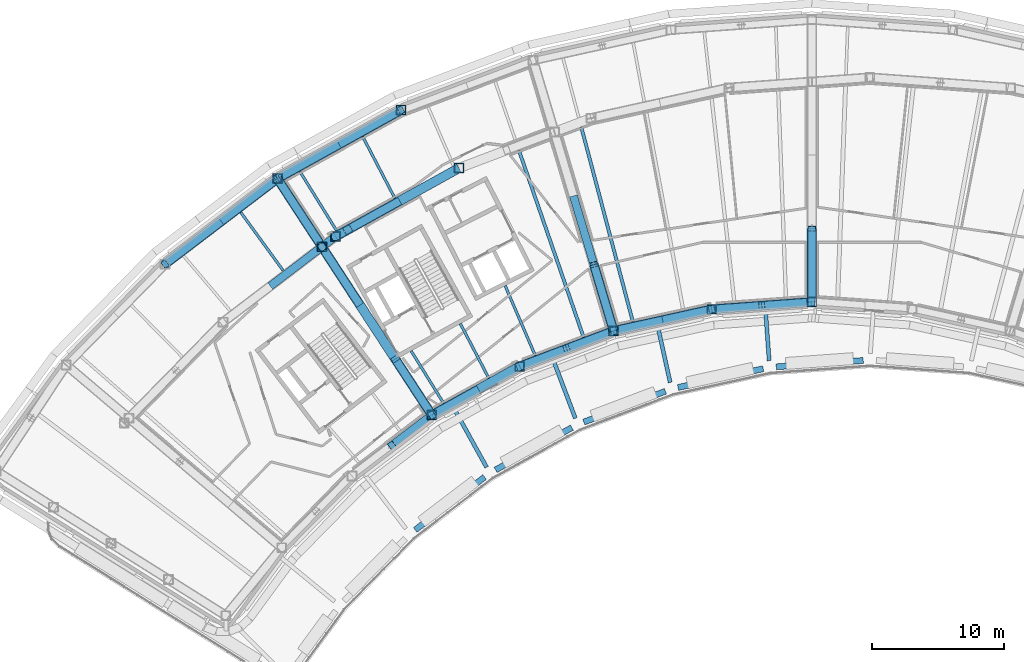
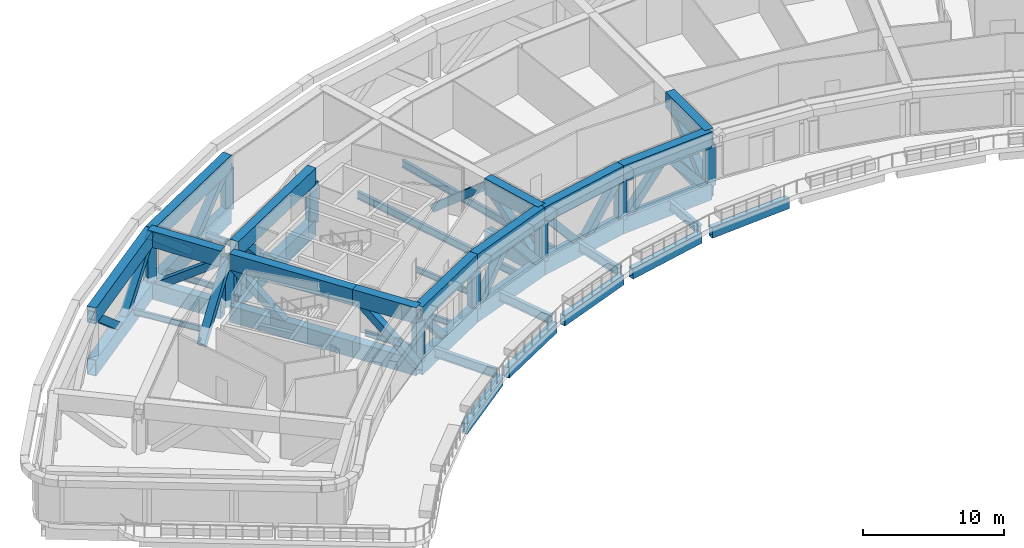
# One storey, part 2 of 26: 41 beams, 32 members.
"""IFC4 building model written with IfcOpenShell, lengths in metres."""

import ifcopenshell
import ifcopenshell.guid

model = None  # the IFC model being written
_history = None  # IfcOwnerHistory: only IFC2X3 demands one
_inside = {}  # id of a spatial element -> (the spatial element, [elements in it])
_under = {}  # id of a project, library or spatial element -> (it, [spatial elements below it])
_declared = {}  # id of a project -> (the project, [libraries it declares])
_typed = {}  # id of a type object -> (the type object, [elements of that type])
_made_of = {}  # id of a material, layer set ... -> (it, [elements and type objects made of it])


def new_model(schema):
    """Start an empty IFC model of exactly this schema.

    Asked for "IFC4X3", IfcOpenShell would pick the latest addendum, in which some entities
    have other attributes; the version numbers below select the first issue.
    IFC2X3 requires an IfcOwnerHistory on every rooted entity: one is made here for all.
    """
    global model, _history
    if schema == "IFC4X3":
        model = ifcopenshell.file(schema_version=(4, 3, 0, 0))
    else:
        model = ifcopenshell.file(schema=schema)
    _inside.clear()
    _under.clear()
    _declared.clear()
    _typed.clear()
    _made_of.clear()
    _history = None
    if model.schema == "IFC2X3":
        org = make("IfcOrganization", Name="unknown")
        user = make(
            "IfcPersonAndOrganization",
            ThePerson=make("IfcPerson", FamilyName="unknown"),
            TheOrganization=org,
        )
        app = make(
            "IfcApplication",
            ApplicationDeveloper=org,
            Version="unknown",
            ApplicationFullName="unknown",
            ApplicationIdentifier="unknown",
        )
        _history = make(
            "IfcOwnerHistory",
            OwningUser=user,
            OwningApplication=app,
            ChangeAction="ADDED",
            CreationDate=0,
        )
    return model


def make(cls, **values):
    """One entity of the class cls with the attributes given. An attribute that is None is left unset."""
    return model.create_entity(
        cls, **{name: value for name, value in values.items() if value is not None}
    )


def rooted(cls, **values):
    """An entity with a GlobalId (a new one), such as an element, a storey or a relation."""
    return make(cls, GlobalId=ifcopenshell.guid.new(), OwnerHistory=_history, **values)


def si_unit(unit_type, name, prefix=None):
    """IfcSIUnit, for example si_unit("LENGTHUNIT", "METRE", prefix="MILLI")."""
    return make("IfcSIUnit", UnitType=unit_type, Prefix=prefix, Name=name)


def assignment(units):
    """IfcUnitAssignment: the units of a project."""
    return None if units is None else make("IfcUnitAssignment", Units=units)


def point(xyz):
    """IfcCartesianPoint."""
    return None if xyz is None else make("IfcCartesianPoint", Coordinates=xyz)


def direction(xyz):
    """IfcDirection."""
    return None if xyz is None else make("IfcDirection", DirectionRatios=xyz)


def frame(location, z_axis=None, x_axis=None):
    """IfcAxis2Placement3D, a coordinate frame: its origin and axes. An axis left out is left unset."""
    return make(
        "IfcAxis2Placement3D",
        Location=point(location),
        Axis=direction(z_axis),
        RefDirection=direction(x_axis),
    )


def frame_2d(location, x_axis=None):
    """IfcAxis2Placement2D, a coordinate frame in the plane: its origin and x axis."""
    return make(
        "IfcAxis2Placement2D", Location=point(location), RefDirection=direction(x_axis)
    )


def origin():
    """The frame at (0, 0, 0) with its axes left unset."""
    return frame((0.0, 0.0, 0.0))


def origin_2d():
    """The frame at (0, 0) in the plane with its x axis left unset."""
    return frame_2d((0.0, 0.0))


def place(relative_to, where):
    """IfcLocalPlacement: puts the frame where relative to a parent placement (None: the world)."""
    return make(
        "IfcLocalPlacement", PlacementRelTo=relative_to, RelativePlacement=where
    )


def context(
    kind, dimensions, precision=None, world=None, true_north=None, identifier=None
):
    """IfcGeometricRepresentationContext, for example the 3D "Model" context."""
    return make(
        "IfcGeometricRepresentationContext",
        ContextIdentifier=identifier,
        ContextType=kind,
        CoordinateSpaceDimension=dimensions,
        Precision=precision,
        WorldCoordinateSystem=world,
        TrueNorth=true_north,
    )


def subcontext(parent, identifier, kind, view, scale=None):
    """IfcGeometricRepresentationSubContext, for example "Body" below "Model"."""
    return make(
        "IfcGeometricRepresentationSubContext",
        ContextIdentifier=identifier,
        ContextType=kind,
        ParentContext=parent,
        TargetScale=scale,
        TargetView=view,
    )


def project(units=None, contexts=None):
    """IfcProject with its units and contexts."""
    return rooted(
        "IfcProject",
        Name="project",
        RepresentationContexts=contexts,
        UnitsInContext=assignment(units),
    )


def spatial(cls, under=None, at=None, **own):
    """A site, building, storey or space (cls), placed at a placement, below another one or the project."""
    s = rooted(cls, ObjectPlacement=at, **own)
    if under is not None:
        _under.setdefault(under.id(), (under, []))[1].append(s)
    return s


def profile(cls, at=None, kind="AREA", **sizes):
    """A parametric profile (cls). Its sizes go by their IFC names, for example OverallWidth=200.0."""
    return make(cls, ProfileType=kind, Position=at, **sizes)


def hollow_rectangle(**sizes):
    """IfcRectangleHollowProfileDef."""
    return profile("IfcRectangleHollowProfileDef", **sizes)


def i_section(**sizes):
    """IfcIShapeProfileDef."""
    return profile("IfcIShapeProfileDef", **sizes)


def extrude(swept, where, along, depth):
    """IfcExtrudedAreaSolid: the profile swept, set in the frame where, extruded along a direction by depth."""
    return make(
        "IfcExtrudedAreaSolid",
        SweptArea=swept,
        Position=where,
        ExtrudedDirection=direction(along),
        Depth=depth,
    )


def shape(context_of_items, identifier, shape_type, items):
    """IfcShapeRepresentation: the items that make up one representation, for example the "Body"."""
    return make(
        "IfcShapeRepresentation",
        ContextOfItems=context_of_items,
        RepresentationIdentifier=identifier,
        RepresentationType=shape_type,
        Items=items,
    )


def material(Name=None, Category=None):
    """IfcMaterial."""
    return make("IfcMaterial", Name=Name, Category=Category)


def material_profile(
    of_material, cross_section, Name=None, Category=None, Priority=None
):
    """IfcMaterialProfile: a cross section and its material."""
    return make(
        "IfcMaterialProfile",
        Name=Name,
        Material=of_material,
        Profile=cross_section,
        Priority=Priority,
        Category=Category,
    )


def profile_set(profiles, Name=None, composite=None):
    """IfcMaterialProfileSet."""
    return make(
        "IfcMaterialProfileSet",
        Name=Name,
        MaterialProfiles=profiles,
        CompositeProfile=composite,
    )


def made_of(thing, what):
    """Note that an element or type object is made of a material, layer set ...; save() writes the relation."""
    if what is not None:
        _made_of.setdefault(what.id(), (what, []))[1].append(thing)
    return thing


def type_object(cls, material=None, **own):
    """A type object (cls), such as IfcWallType, which elements share."""
    return made_of(rooted(cls, **own), material)


def element(
    cls,
    number,
    at=None,
    inside=None,
    cuts=None,
    type_object=None,
    material=None,
    context=None,
    identifier="Body",
    shape_type=None,
    held_by="IfcProductDefinitionShape",
    body=None,
    shapes=None,
    **own,
):
    """One element of the class cls, such as IfcWall. Its Tag is "e" and its number.

    at: its placement. inside: the storey or other place that contains it. cuts: it is an
    opening in that element (IfcRelVoidsElement). A single representation is given by context,
    identifier, shape_type and body (its items); several are given by shapes. held_by: the class
    of the entity that holds the representations. save() writes the other relations.
    """
    e = rooted(cls, Tag="e%d" % number, ObjectPlacement=at, **own)
    if body is not None:
        shapes = [shape(context, identifier, shape_type, body)]
    if shapes is not None:
        e.Representation = make(held_by, Representations=shapes)
    if inside is not None:
        _inside.setdefault(inside.id(), (inside, []))[1].append(e)
    if cuts is not None:
        rooted(
            "IfcRelVoidsElement", RelatingBuildingElement=cuts, RelatedOpeningElement=e
        )
    if type_object is not None:
        _typed.setdefault(type_object.id(), (type_object, []))[1].append(e)
    return made_of(e, material)


def aggregate(whole, parts):
    """IfcRelAggregates: a whole, such as a stair, and the parts it consists of."""
    return rooted("IfcRelAggregates", RelatingObject=whole, RelatedObjects=parts)


def save(model, path):
    """Write the relations noted so far, then the file.

    IfcRelAggregates (storeys below a building ...), IfcRelContainedInSpatialStructure (elements
    in a storey), IfcRelDefinesByType, IfcRelAssociatesMaterial and IfcRelDeclares: one each for
    every whole, place, type object, material and project.
    """
    for whole, parts in _under.values():
        aggregate(whole, parts)
    for where, things in _inside.values():
        rooted(
            "IfcRelContainedInSpatialStructure",
            RelatedElements=things,
            RelatingStructure=where,
        )
    for kind, things in _typed.values():
        rooted("IfcRelDefinesByType", RelatedObjects=things, RelatingType=kind)
    for what, things in _made_of.values():
        rooted("IfcRelAssociatesMaterial", RelatedObjects=things, RelatingMaterial=what)
    for by, libraries in _declared.values():
        rooted("IfcRelDeclares", RelatingContext=by, RelatedDefinitions=libraries)
    model.write(path)


model = new_model("IFC4")

# Units and contexts
model_context = context("Model", 3, precision=1e-05, world=origin(), true_north=direction((0.0, 1.0)))
body_context = subcontext(model_context, "Body", "Model", "MODEL_VIEW")
ifc_project = project(units=[si_unit("LENGTHUNIT", "METRE"), si_unit("AREAUNIT", "SQUARE_METRE"), si_unit("VOLUMEUNIT", "CUBIC_METRE"), si_unit("PLANEANGLEUNIT", "RADIAN"), si_unit("MASSUNIT", "GRAM", prefix="KILO")], contexts=[model_context])

# Site, building, storey
site_placement = place(None, origin())
site = spatial("IfcSite", under=ifc_project, at=site_placement, CompositionType="ELEMENT")
building_placement = place(site_placement, origin())
building = spatial("IfcBuilding", under=site, at=building_placement, Name="Tuul Gate Civic Tower", CompositionType="ELEMENT")
storey_placement = place(building_placement, frame((0.0, 0.0, 167.60009765625)))
storey = spatial("IfcBuildingStorey", under=building, at=storey_placement, Name="Plant and refuge floor 5", CompositionType="ELEMENT", Elevation=167.60009765625)

# Beams
ifc_material_1 = material(Name="Steel S355", Category="steel")
ifc_material_profile_1 = material_profile(ifc_material_1, i_section(OverallWidth=0.199951171875, OverallDepth=0.5, WebThickness=0.010009765625, FlangeThickness=0.01611328125, at=origin_2d()), Name="PG500x200x10x16")
ifc_profile_set_1 = profile_set([ifc_material_profile_1], Name="Steel S355")
beam_type_1 = type_object("IfcBeamType", Name="STR-FLOOR BEAM-PG500x200x10x16", PredefinedType="BEAM", material=ifc_profile_set_1)
beam_1_placement = place(storey_placement, frame((-19.918212890625, -11.7880859375, -0.650146484375), z_axis=(-0.395876780184, 0.918303639822, 0.0), x_axis=(-0.918303639822, -0.395876780184, 0.0)))
element("IfcBeam", 1, at=beam_1_placement, inside=storey, type_object=beam_type_1, Name="Floor beam", PredefinedType="BEAM", context=body_context, shape_type="SweptSolid", body=[
    extrude(i_section(OverallWidth=0.199951171875, OverallDepth=0.5, WebThickness=0.010009765625, FlangeThickness=0.01611328125, at=origin_2d()), origin(), (0.0, 0.0, 1.0), 5.762451171875),
])
beam_2_placement = place(storey_placement, frame((-23.42919921875, -13.50048828125, -0.650146484375), z_axis=(-0.462743325155, 0.886492309625, 0.0), x_axis=(-0.886492309625, -0.462743325155, 0.0)))
element("IfcBeam", 2, at=beam_2_placement, inside=storey, type_object=beam_type_1, Name="Floor beam", PredefinedType="BEAM", context=body_context, shape_type="SweptSolid", body=[
    extrude(i_section(OverallWidth=0.199951171875, OverallDepth=0.5, WebThickness=0.010009765625, FlangeThickness=0.01611328125, at=origin_2d()), origin(), (0.0, 0.0, 1.0), 4.658203125),
])
beam_3_placement = place(storey_placement, frame((-30.529541015625, 0.1025390625, -0.650146484375), z_axis=(-0.462753096809, 0.886487208816, 0.0), x_axis=(-0.886487208816, -0.462753096809, 0.0)))
element("IfcBeam", 3, at=beam_3_placement, inside=storey, type_object=beam_type_1, Name="Floor beam", PredefinedType="BEAM", context=body_context, shape_type="SweptSolid", body=[
    extrude(i_section(OverallWidth=0.199951171875, OverallDepth=0.5, WebThickness=0.010009765625, FlangeThickness=0.01611328125, at=origin_2d()), origin(), (0.0, 0.0, 1.0), 5.26220703125),
])
beam_4_placement = place(storey_placement, frame((-26.846435546875, -15.394287109375, -0.650146484375), z_axis=(-0.526978252012, 0.849878768946, 0.0), x_axis=(-0.849878768946, -0.526978252012, 0.0)))
element("IfcBeam", 4, at=beam_4_placement, inside=storey, type_object=beam_type_1, Name="Floor beam", PredefinedType="BEAM", context=body_context, shape_type="SweptSolid", body=[
    extrude(i_section(OverallWidth=0.199951171875, OverallDepth=0.5, WebThickness=0.010009765625, FlangeThickness=0.01611328125, at=origin_2d()), origin(), (0.0, 0.0, 1.0), 4.662109375),
])
beam_5_placement = place(storey_placement, frame((-34.940185546875, -2.342041015625, -0.650146484375), z_axis=(-0.527032762929, 0.849844966332, 0.0), x_axis=(-0.849844966332, -0.527032762929, 0.0)))
element("IfcBeam", 5, at=beam_5_placement, inside=storey, type_object=beam_type_1, Name="Floor beam", PredefinedType="BEAM", context=body_context, shape_type="SweptSolid", body=[
    extrude(i_section(OverallWidth=0.199951171875, OverallDepth=0.5, WebThickness=0.010009765625, FlangeThickness=0.01611328125, at=origin_2d()), origin(), (0.0, 0.0, 1.0), 5.26611328125),
])
beam_6_placement = place(storey_placement, frame((-38.9794921875, -5.359375, -0.650146484375), z_axis=(-0.588387618337, 0.808579007017, 0.0), x_axis=(-0.808579007017, -0.588387618337, 0.0)))
element("IfcBeam", 6, at=beam_6_placement, inside=storey, type_object=beam_type_1, Name="Floor beam", PredefinedType="BEAM", context=body_context, shape_type="SweptSolid", body=[
    extrude(i_section(OverallWidth=0.199951171875, OverallDepth=0.5, WebThickness=0.010009765625, FlangeThickness=0.01611328125, at=origin_2d()), origin(), (0.0, 0.0, 1.0), 5.445068359375),
])
ifc_material_2 = material(Name="Steel S355", Category="steel")
ifc_material_profile_2 = material_profile(ifc_material_2, i_section(OverallWidth=0.25, OverallDepth=0.64990234375, WebThickness=0.011962890625, FlangeThickness=0.02001953125, at=origin_2d()), Name="PG650x250x12x20")
ifc_profile_set_2 = profile_set([ifc_material_profile_2], Name="Steel S355")
beam_type_2 = type_object("IfcBeamType", Name="STR-FLOOR BEAM-PG650x250x12x20", PredefinedType="BEAM", material=ifc_profile_set_2)
beam_7_placement = place(storey_placement, frame((-12.535400390625, -9.24267578125, -0.72509765625), z_axis=(-0.25615068894, 0.966636862816, 0.0), x_axis=(-0.966636862816, -0.25615068894, 0.0)))
element("IfcBeam", 7, at=beam_7_placement, inside=storey, type_object=beam_type_2, Name="Floor beam", PredefinedType="BEAM", context=body_context, shape_type="SweptSolid", body=[
    extrude(i_section(OverallWidth=0.25, OverallDepth=0.64990234375, WebThickness=0.011962890625, FlangeThickness=0.02001953125, at=origin_2d()), origin(), (0.0, 0.0, 1.0), 15.25927734375),
])
beam_8_placement = place(storey_placement, frame((-16.26416015625, -10.406494140625, -0.72509765625), z_axis=(-0.326913747658, 0.945054179184, 0.0), x_axis=(-0.945054179184, -0.326913747658, 0.0)))
element("IfcBeam", 8, at=beam_8_placement, inside=storey, type_object=beam_type_2, Name="Floor beam", PredefinedType="BEAM", context=body_context, shape_type="SweptSolid", body=[
    extrude(i_section(OverallWidth=0.25, OverallDepth=0.64990234375, WebThickness=0.011962890625, FlangeThickness=0.02001953125, at=origin_2d()), origin(), (0.0, 0.0, 1.0), 14.954833984375),
])
ifc_material_3 = material(Name="Steel S355", Category="steel")
ifc_material_profile_3 = material_profile(ifc_material_3, i_section(OverallWidth=0.300048828125, OverallDepth=0.800048828125, WebThickness=0.013916015625, FlangeThickness=0.02490234375, at=origin_2d()), Name="PG800x300x14x25")
ifc_profile_set_3 = profile_set([ifc_material_profile_3], Name="Steel S355")
beam_type_3 = type_object("IfcBeamType", Name="STR-FLOOR BEAM-PG800x300x14x25", PredefinedType="BEAM", material=ifc_profile_set_3)
beam_9_placement = place(storey_placement, frame((-23.595458984375, -20.234619140625, -0.800048828125), z_axis=(-0.484722645182, 0.874667912552, 0.0), x_axis=(-0.874667912552, -0.484722645182, 0.0)))
element("IfcBeam", 9, at=beam_9_placement, inside=storey, type_object=beam_type_3, Name="Terrace beam", PredefinedType="BEAM", context=body_context, shape_type="SweptSolid", body=[
    extrude(i_section(OverallWidth=0.300048828125, OverallDepth=0.800048828125, WebThickness=0.013916015625, FlangeThickness=0.02490234375, at=origin_2d()), origin(), (0.0, 0.0, 1.0), 5.15966796875),
])
beam_10_placement = place(storey_placement, frame((-16.889892578125, -16.5244140625, -0.800048828125), z_axis=(-0.353631520823, 0.935384812513, 0.0), x_axis=(-0.935384812513, -0.353631520823, 0.0)))
element("IfcBeam", 10, at=beam_10_placement, inside=storey, type_object=beam_type_3, Name="Terrace beam", PredefinedType="BEAM", context=body_context, shape_type="SweptSolid", body=[
    extrude(i_section(OverallWidth=0.300048828125, OverallDepth=0.800048828125, WebThickness=0.013916015625, FlangeThickness=0.02490234375, at=origin_2d()), origin(), (0.0, 0.0, 1.0), 4.851318359375),
])
beam_11_placement = place(storey_placement, frame((-9.7197265625, -13.818603515625, -0.800048828125), z_axis=(-0.215189125687, 0.976572393725, 0.0), x_axis=(-0.976572393725, -0.215189125687, 0.0)))
element("IfcBeam", 11, at=beam_11_placement, inside=storey, type_object=beam_type_3, Name="Terrace beam", PredefinedType="BEAM", context=body_context, shape_type="SweptSolid", body=[
    extrude(i_section(OverallWidth=0.300048828125, OverallDepth=0.800048828125, WebThickness=0.013916015625, FlangeThickness=0.02490234375, at=origin_2d()), origin(), (0.0, 0.0, 1.0), 4.4248046875),
])
beam_12_placement = place(storey_placement, frame((-2.234130859375, -12.17431640625, -0.800048828125), z_axis=(-0.07230864781, 0.997382303559, 0.0), x_axis=(-0.997382303559, -0.07230864781, 0.0)))
element("IfcBeam", 12, at=beam_12_placement, inside=storey, type_object=beam_type_3, Name="Terrace beam", PredefinedType="BEAM", context=body_context, shape_type="SweptSolid", body=[
    extrude(i_section(OverallWidth=0.300048828125, OverallDepth=0.800048828125, WebThickness=0.013916015625, FlangeThickness=0.02490234375, at=origin_2d()), origin(), (0.0, 0.0, 1.0), 3.8896484375),
])
ifc_material_4 = material(Name="Steel S355", Category="steel")
ifc_material_profile_4 = material_profile(ifc_material_4, hollow_rectangle(XDim=0.449951171875, YDim=0.89990234375, WallThickness=0.02490234375, at=origin_2d()), Name="BOX900x450x25")
ifc_profile_set_4 = profile_set([ifc_material_profile_4], Name="Steel S355")
beam_type_4 = type_object("IfcBeamType", Name="STR-SPANDREL BEAM-BOX900x450x25", PredefinedType="BEAM", material=ifc_profile_set_4)
for number, where, z_axis, x_axis, name in (
    (13, (-28.9951171875, -24.968017578125, -0.85009765625), (0.795618733299, 0.605797681758, 0.0), (-0.605797681758, 0.795618733299, 0.0), "Terrace edge beam"),
    (14, (-22.915771484375, -20.4296875, -0.85009765625), (0.874651244821, 0.484752720399, 0.0), (-0.484752720399, 0.874651244821, 0.0), "Terrace edge beam"),
):
    element("IfcBeam", number, at=place(storey_placement, frame(where, z_axis=z_axis, x_axis=x_axis)), inside=storey, type_object=beam_type_4, Name=name, PredefinedType="BEAM", context=body_context, shape_type="SweptSolid", body=[
        extrude(hollow_rectangle(XDim=0.449951171875, YDim=0.89990234375, WallThickness=0.02490234375, at=origin_2d()), origin(), (0.0, 0.0, 1.0), 6.591552734375),
    ])
beam_13_placement = place(storey_placement, frame((-16.245361328125, -16.815185546875, -0.85009765625), z_axis=(0.935371380161, 0.353667048472, 0.0), x_axis=(-0.353667048472, 0.935371380161, 0.0)))
element("IfcBeam", 15, at=beam_13_placement, inside=storey, type_object=beam_type_4, Name="Terrace edge beam", PredefinedType="BEAM", context=body_context, shape_type="SweptSolid", body=[
    extrude(hollow_rectangle(XDim=0.449951171875, YDim=0.89990234375, WallThickness=0.02490234375, at=origin_2d()), origin(), (0.0, 0.0, 1.0), 6.591796875),
])
beam_14_placement = place(storey_placement, frame((-9.123779296875, -14.199462890625, -0.85009765625), z_axis=(0.97655858912, 0.215251764258, 0.0), x_axis=(-0.215251764258, 0.97655858912, 0.0)))
element("IfcBeam", 16, at=beam_14_placement, inside=storey, type_object=beam_type_4, Name="Terrace edge beam", PredefinedType="BEAM", context=body_context, shape_type="SweptSolid", body=[
    extrude(hollow_rectangle(XDim=0.449951171875, YDim=0.89990234375, WallThickness=0.02490234375, at=origin_2d()), origin(), (0.0, 0.0, 1.0), 6.592041015625),
])
beam_15_placement = place(storey_placement, frame((-1.69921875, -12.636962890625, -0.85009765625), z_axis=(0.997380460519, 0.072334065112, 0.0), x_axis=(-0.072334065112, 0.997380460519, 0.0)))
element("IfcBeam", 17, at=beam_15_placement, inside=storey, type_object=beam_type_4, Name="Terrace edge beam", PredefinedType="BEAM", context=body_context, shape_type="SweptSolid", body=[
    extrude(hollow_rectangle(XDim=0.449951171875, YDim=0.89990234375, WallThickness=0.02490234375, at=origin_2d()), origin(), (0.0, 0.0, 1.0), 6.591796875),
])
ifc_material_5 = material(Name="Steel S460", Category="steel")
ifc_material_profile_5 = material_profile(ifc_material_5, hollow_rectangle(XDim=0.699951171875, YDim=1.39990234375, WallThickness=0.0400390625, at=origin_2d()), Name="BOX1400x700x40")
ifc_profile_set_5 = profile_set([ifc_material_profile_5], Name="Steel S460")
beam_type_5 = type_object("IfcBeamType", Name="STR-TRANSFER TRUSS CHORD-BOX1400x700x40", PredefinedType="BEAM", material=ifc_profile_set_5)
for number, where, z_axis, x_axis, name in (
    (18, (-15.487548828125, -4.91015625, -1.10009765625), (0.285167320032, -0.958477751221, 0.0), (0.958477751221, 0.285167320032, 0.0), "Radial truss bottom chord"),
    (19, (-15.487548828125, -4.91015625, 3.39990234375), (0.285167320032, -0.958477751221, 0.0), (0.958477751221, 0.285167320032, 0.0), "Radial truss top chord"),
):
    element("IfcBeam", number, at=place(storey_placement, frame(where, z_axis=z_axis, x_axis=x_axis)), inside=storey, type_object=beam_type_5, Name=name, PredefinedType="BEAM", context=body_context, shape_type="SweptSolid", body=[
        extrude(hollow_rectangle(XDim=0.699951171875, YDim=1.39990234375, WallThickness=0.0400390625, at=origin_2d()), origin(), (0.0, 0.0, 1.0), 5.230224609375),
    ])
for number, where, z_axis, x_axis, name in (
    (20, (0.989990234375, -2.188720703125, -1.10009765625), (0.0, -1.0, 0.0), (1.0, 0.0, 0.0), "Radial truss bottom chord"),
    (21, (0.989990234375, -2.188720703125, 3.39990234375), (0.0, -1.0, 0.0), (1.0, 0.0, 0.0), "Radial truss top chord"),
):
    element("IfcBeam", number, at=place(storey_placement, frame(where, z_axis=z_axis, x_axis=x_axis)), inside=storey, type_object=beam_type_5, Name=name, PredefinedType="BEAM", context=body_context, shape_type="SweptSolid", body=[
        extrude(hollow_rectangle(XDim=0.699951171875, YDim=1.39990234375, WallThickness=0.0400390625, at=origin_2d()), origin(), (0.0, 0.0, 1.0), 5.55126953125),
    ])
beam_16_placement = place(storey_placement, frame((-39.412109375, 1.593017578125, -1.10009765625), z_axis=(0.546702313869, -0.837327044834, 0.0), x_axis=(0.837327044834, 0.546702313869, 0.0)))
element("IfcBeam", 22, at=beam_16_placement, inside=storey, type_object=beam_type_5, Name="Radial truss bottom chord", PredefinedType="BEAM", context=body_context, shape_type="SweptSolid", body=[
    extrude(hollow_rectangle(XDim=0.699951171875, YDim=1.39990234375, WallThickness=0.0400390625, at=origin_2d()), origin(), (0.0, 0.0, 1.0), 5.80908203125),
])
beam_17_placement = place(storey_placement, frame((-35.8525390625, -3.858642578125, -1.10009765625), z_axis=(0.546718536511, -0.837316452625, 0.0), x_axis=(0.837316452625, 0.546718536511, 0.0)))
element("IfcBeam", 23, at=beam_17_placement, inside=storey, type_object=beam_type_5, Name="Radial truss bottom chord", PredefinedType="BEAM", context=body_context, shape_type="SweptSolid", body=[
    extrude(hollow_rectangle(XDim=0.699951171875, YDim=1.39990234375, WallThickness=0.0400390625, at=origin_2d()), origin(), (0.0, 0.0, 1.0), 9.779052734375),
])
beam_18_placement = place(storey_placement, frame((-30.506103515625, -12.046875, -1.10009765625), z_axis=(0.546688218093, -0.83733624799, 0.0), x_axis=(0.83733624799, 0.546688218093, 0.0)))
element("IfcBeam", 24, at=beam_18_placement, inside=storey, type_object=beam_type_5, Name="Radial truss bottom chord", PredefinedType="BEAM", context=body_context, shape_type="SweptSolid", body=[
    extrude(hollow_rectangle(XDim=0.699951171875, YDim=1.39990234375, WallThickness=0.0400390625, at=origin_2d()), origin(), (0.0, 0.0, 1.0), 5.065185546875),
])
beam_19_placement = place(storey_placement, frame((-39.412109375, 1.593017578125, 3.39990234375), z_axis=(0.546702313869, -0.837327044834, 0.0), x_axis=(0.837327044834, 0.546702313869, 0.0)))
element("IfcBeam", 25, at=beam_19_placement, inside=storey, type_object=beam_type_5, Name="Radial truss top chord", PredefinedType="BEAM", context=body_context, shape_type="SweptSolid", body=[
    extrude(hollow_rectangle(XDim=0.699951171875, YDim=1.39990234375, WallThickness=0.0400390625, at=origin_2d()), origin(), (0.0, 0.0, 1.0), 5.80908203125),
])
beam_20_placement = place(storey_placement, frame((-35.8525390625, -3.858642578125, 3.39990234375), z_axis=(0.546718536511, -0.837316452625, 0.0), x_axis=(0.837316452625, 0.546718536511, 0.0)))
element("IfcBeam", 26, at=beam_20_placement, inside=storey, type_object=beam_type_5, Name="Radial truss top chord", PredefinedType="BEAM", context=body_context, shape_type="SweptSolid", body=[
    extrude(hollow_rectangle(XDim=0.699951171875, YDim=1.39990234375, WallThickness=0.0400390625, at=origin_2d()), origin(), (0.0, 0.0, 1.0), 9.779052734375),
])
beam_21_placement = place(storey_placement, frame((-30.506103515625, -12.046875, 3.39990234375), z_axis=(0.546688218093, -0.83733624799, 0.0), x_axis=(0.83733624799, 0.546688218093, 0.0)))
element("IfcBeam", 27, at=beam_21_placement, inside=storey, type_object=beam_type_5, Name="Radial truss top chord", PredefinedType="BEAM", context=body_context, shape_type="SweptSolid", body=[
    extrude(hollow_rectangle(XDim=0.699951171875, YDim=1.39990234375, WallThickness=0.0400390625, at=origin_2d()), origin(), (0.0, 0.0, 1.0), 5.065185546875),
])
for number, where, z_axis, x_axis, name in (
    (28, (-39.412109375, 1.593017578125, -1.10009765625), (-0.795657881015, -0.605746264023, 0.0), (0.605746264023, -0.795657881015, 0.0), "Belt truss bottom chord"),
    (29, (-39.412109375, 1.593017578125, 3.39990234375), (-0.795657881015, -0.605746264023, 0.0), (0.605746264023, -0.795657881015, 0.0), "Belt truss top chord"),
):
    element("IfcBeam", number, at=place(storey_placement, frame(where, z_axis=z_axis, x_axis=x_axis)), inside=storey, type_object=beam_type_5, Name=name, PredefinedType="BEAM", context=body_context, shape_type="SweptSolid", body=[
        extrude(hollow_rectangle(XDim=0.699951171875, YDim=1.39990234375, WallThickness=0.0400390625, at=origin_2d()), origin(), (0.0, 0.0, 1.0), 10.677734375),
    ])
for number, where, z_axis, x_axis, name in (
    (30, (-30.073974609375, 6.77001953125, -1.10009765625), (-0.874588358597, -0.484866170202, 0.0), (0.484866170202, -0.874588358597, 0.0), "Belt truss bottom chord"),
    (31, (-30.073974609375, 6.77001953125, 3.39990234375), (-0.874588358597, -0.484866170202, 0.0), (0.484866170202, -0.874588358597, 0.0), "Belt truss top chord"),
):
    element("IfcBeam", number, at=place(storey_placement, frame(where, z_axis=z_axis, x_axis=x_axis)), inside=storey, type_object=beam_type_5, Name=name, PredefinedType="BEAM", context=body_context, shape_type="SweptSolid", body=[
        extrude(hollow_rectangle(XDim=0.699951171875, YDim=1.39990234375, WallThickness=0.0400390625, at=origin_2d()), origin(), (0.0, 0.0, 1.0), 10.67724609375),
    ])
for number, where, z_axis, x_axis, name in (
    (32, (-25.68994140625, 2.385009765625, -1.10009765625), (-0.874627142999, -0.484796205358, 0.0), (0.484796205358, -0.874627142999, 0.0), "Belt truss bottom chord"),
    (33, (-25.68994140625, 2.385009765625, 3.39990234375), (-0.874627142999, -0.484796205358, 0.0), (0.484796205358, -0.874627142999, 0.0), "Belt truss top chord"),
):
    element("IfcBeam", number, at=place(storey_placement, frame(where, z_axis=z_axis, x_axis=x_axis)), inside=storey, type_object=beam_type_5, Name=name, PredefinedType="BEAM", context=body_context, shape_type="SweptSolid", body=[
        extrude(hollow_rectangle(XDim=0.699951171875, YDim=1.39990234375, WallThickness=0.0400390625, at=origin_2d()), origin(), (0.0, 0.0, 1.0), 10.6767578125),
    ])
for number, where, z_axis, x_axis, name in (
    (34, (-13.99609375, -9.923095703125, -1.10009765625), (0.976563150076, 0.215231070978, 0.0), (-0.215231070978, 0.976563150076, 0.0), "Belt truss bottom chord"),
    (35, (-13.99609375, -9.923095703125, 3.39990234375), (0.976563150076, 0.215231070978, 0.0), (-0.215231070978, 0.976563150076, 0.0), "Belt truss top chord"),
):
    element("IfcBeam", number, at=place(storey_placement, frame(where, z_axis=z_axis, x_axis=x_axis)), inside=storey, type_object=beam_type_5, Name=name, PredefinedType="BEAM", context=body_context, shape_type="SweptSolid", body=[
        extrude(hollow_rectangle(XDim=0.699951171875, YDim=1.39990234375, WallThickness=0.0400390625, at=origin_2d()), origin(), (0.0, 0.0, 1.0), 7.592041015625),
    ])
for number, where, z_axis, x_axis, name in (
    (36, (-6.58203125, -8.2890625, -1.10009765625), (0.997381233603, 0.072323404623, 0.0), (-0.072323404623, 0.997381233603, 0.0), "Belt truss bottom chord"),
    (37, (-6.58203125, -8.2890625, 3.39990234375), (0.997381233603, 0.072323404623, 0.0), (-0.072323404623, 0.997381233603, 0.0), "Belt truss top chord"),
):
    element("IfcBeam", number, at=place(storey_placement, frame(where, z_axis=z_axis, x_axis=x_axis)), inside=storey, type_object=beam_type_5, Name=name, PredefinedType="BEAM", context=body_context, shape_type="SweptSolid", body=[
        extrude(hollow_rectangle(XDim=0.699951171875, YDim=1.39990234375, WallThickness=0.0400390625, at=origin_2d()), origin(), (0.0, 0.0, 1.0), 7.591796875),
    ])
for number, where, z_axis, x_axis, name in (
    (38, (-21.096923828125, -12.60791015625, -1.10009765625), (0.935372825065, 0.353663226998, 0.0), (-0.353663226998, 0.935372825065, 0.0), "Belt truss bottom chord"),
    (39, (-21.096923828125, -12.60791015625, 3.39990234375), (0.935372825065, 0.353663226998, 0.0), (-0.353663226998, 0.935372825065, 0.0), "Belt truss top chord"),
):
    element("IfcBeam", number, at=place(storey_placement, frame(where, z_axis=z_axis, x_axis=x_axis)), inside=storey, type_object=beam_type_5, Name=name, PredefinedType="BEAM", context=body_context, shape_type="SweptSolid", body=[
        extrude(hollow_rectangle(XDim=0.699951171875, YDim=1.39990234375, WallThickness=0.0400390625, at=origin_2d()), origin(), (0.0, 0.0, 1.0), 7.591552734375),
    ])
for number, where, z_axis, x_axis, name in (
    (40, (-27.737060546875, -16.2880859375, -1.10009765625), (0.874648308236, 0.484758018912, 0.0), (-0.484758018912, 0.874648308236, 0.0), "Belt truss bottom chord"),
    (41, (-27.737060546875, -16.2880859375, 3.39990234375), (0.874648308236, 0.484758018912, 0.0), (-0.484758018912, 0.874648308236, 0.0), "Belt truss top chord"),
):
    element("IfcBeam", number, at=place(storey_placement, frame(where, z_axis=z_axis, x_axis=x_axis)), inside=storey, type_object=beam_type_5, Name=name, PredefinedType="BEAM", context=body_context, shape_type="SweptSolid", body=[
        extrude(hollow_rectangle(XDim=0.699951171875, YDim=1.39990234375, WallThickness=0.0400390625, at=origin_2d()), origin(), (0.0, 0.0, 1.0), 7.591796875),
    ])

# Members
ifc_material_6 = material(Name="Steel S355", Category="steel")
ifc_material_profile_6 = material_profile(ifc_material_6, hollow_rectangle(XDim=0.60009765625, YDim=0.60009765625, WallThickness=0.02490234375, at=origin_2d()), Name="BOX600x600x25")
ifc_profile_set_6 = profile_set([ifc_material_profile_6], Name="Steel S355")
member_type_1 = type_object("IfcMemberType", Name="STR-TRANSFER TRUSS DIAGONAL-BOX600x600x25", PredefinedType="BRACE", material=ifc_profile_set_6)
member_1_placement = place(storey_placement, frame((-16.98046875, 0.106201171875, -1.103271484375), z_axis=(0.216212903328, -0.72655167809, 0.652207512605), x_axis=(0.958460270703, 0.28522606733, 0.0)))
element("IfcMember", 42, at=member_1_placement, inside=storey, type_object=member_type_1, Name="Radial truss web", PredefinedType="BRACE", context=body_context, shape_type="SweptSolid", body=[
    extrude(hollow_rectangle(XDim=0.60009765625, YDim=0.60009765625, WallThickness=0.02490234375, at=origin_2d()), origin(), (0.0, 0.0, 1.0), 6.909423828125),
])
member_2_placement = place(storey_placement, frame((-13.994873046875, -9.926513671875, -1.103271484375), z_axis=(-0.216218454126, 0.726534995145, 0.652224256621), x_axis=(-0.958456478284, -0.285238810886, 0.0)))
element("IfcMember", 43, at=member_2_placement, inside=storey, type_object=member_type_1, Name="Radial truss web", PredefinedType="BRACE", context=body_context, shape_type="SweptSolid", body=[
    extrude(hollow_rectangle(XDim=0.60009765625, YDim=0.60009765625, WallThickness=0.02490234375, at=origin_2d()), origin(), (0.0, 0.0, 1.0), 6.9091796875),
])
member_3_placement = place(storey_placement, frame((0.989990234375, -7.743896484375, -1.103271484375), z_axis=(0.0, 0.77682520927, 0.629716280751), x_axis=(-1.0, 0.0, 0.0)))
element("IfcMember", 44, at=member_3_placement, inside=storey, type_object=member_type_1, Name="Radial truss web", PredefinedType="BRACE", context=body_context, shape_type="SweptSolid", body=[
    extrude(hollow_rectangle(XDim=0.60009765625, YDim=0.60009765625, WallThickness=0.02490234375, at=origin_2d()), origin(), (0.0, 0.0, 1.0), 7.15625),
])
member_4_placement = place(storey_placement, frame((-39.414306640625, 1.596435546875, -1.10302734375), z_axis=(0.441458913505, -0.676123794981, 0.589890364006), x_axis=(0.837322275508, 0.54670961848, 0.0)))
element("IfcMember", 45, at=member_4_placement, inside=storey, type_object=member_type_1, Name="Radial truss web", PredefinedType="BRACE", context=body_context, shape_type="SweptSolid", body=[
    extrude(hollow_rectangle(XDim=0.60009765625, YDim=0.60009765625, WallThickness=0.02490234375, at=origin_2d()), origin(), (0.0, 0.0, 1.0), 7.638427734375),
])
member_5_placement = place(storey_placement, frame((-33.273193359375, -7.80908203125, -1.103515625), z_axis=(-0.408689970421, 0.62596954885, 0.664179668455), x_axis=(-0.837335700125, -0.546689057232, 0.0)))
element("IfcMember", 46, at=member_5_placement, inside=storey, type_object=member_type_1, Name="Radial truss web", PredefinedType="BRACE", context=body_context, shape_type="SweptSolid", body=[
    extrude(hollow_rectangle(XDim=0.60009765625, YDim=0.60009765625, WallThickness=0.02490234375, at=origin_2d()), origin(), (0.0, 0.0, 1.0), 6.78564453125),
])
member_6_placement = place(storey_placement, frame((-27.73486328125, -16.291015625, -1.103515625), z_axis=(-0.408699174986, 0.625947666805, 0.664194627189), x_axis=(-0.83732131521, -0.546711089238, 0.0)))
element("IfcMember", 47, at=member_6_placement, inside=storey, type_object=member_type_1, Name="Radial truss web", PredefinedType="BRACE", context=body_context, shape_type="SweptSolid", body=[
    extrude(hollow_rectangle(XDim=0.60009765625, YDim=0.60009765625, WallThickness=0.02490234375, at=origin_2d()), origin(), (0.0, 0.0, 1.0), 6.785400390625),
])
for number, where, z_axis, x_axis, name in (
    (48, (-43.6630859375, -1.643310546875, -1.103271484375), (0.608400335795, 0.463152393361, 0.644467913808), (-0.605719855352, 0.79567798564, 0.0), "Belt truss web"),
    (49, (-43.656982421875, -1.638671875, -1.103271484375), (-0.608400335795, -0.463152393361, 0.644467913808), (0.605719855352, -0.79567798564, 0.0), "Belt truss web"),
):
    element("IfcMember", number, at=place(storey_placement, frame(where, z_axis=z_axis, x_axis=x_axis)), inside=storey, type_object=member_type_1, Name=name, PredefinedType="BRACE", context=body_context, shape_type="SweptSolid", body=[
        extrude(hollow_rectangle(XDim=0.60009765625, YDim=0.60009765625, WallThickness=0.02490234375, at=origin_2d()), origin(), (0.0, 0.0, 1.0), 6.992431640625),
    ])
member_7_placement = place(storey_placement, frame((-35.02685546875, -2.790283203125, -1.10498046875), z_axis=(-0.217271821716, -0.165401559389, 0.961995467578), x_axis=(0.605721379815, -0.795676825122, 0.0)))
element("IfcMember", 50, at=member_7_placement, inside=storey, type_object=member_type_1, Name="Belt truss web", PredefinedType="BRACE", context=body_context, shape_type="SweptSolid", body=[
    extrude(hollow_rectangle(XDim=0.60009765625, YDim=0.60009765625, WallThickness=0.02490234375, at=origin_2d()), origin(), (0.0, 0.0, 1.0), 4.68798828125),
])
member_8_placement = place(storey_placement, frame((-39.787109375, -6.4140625, -1.103515625), z_axis=(0.574735360146, 0.437551101976, 0.691540525896), x_axis=(-0.605743163751, 0.79566024129, 0.0)))
element("IfcMember", 51, at=member_8_placement, inside=storey, type_object=member_type_1, Name="Belt truss web", PredefinedType="BRACE", context=body_context, shape_type="SweptSolid", body=[
    extrude(hollow_rectangle(XDim=0.60009765625, YDim=0.60009765625, WallThickness=0.02490234375, at=origin_2d()), origin(), (0.0, 0.0, 1.0), 6.51708984375),
])
member_9_placement = place(storey_placement, frame((-34.746337890625, 4.1796875, -1.103271484375), z_axis=(0.668719489497, 0.370742666013, 0.644487486275), x_axis=(-0.484875048481, 0.874583436477, 0.0)))
element("IfcMember", 52, at=member_9_placement, inside=storey, type_object=member_type_1, Name="Belt truss web", PredefinedType="BRACE", context=body_context, shape_type="SweptSolid", body=[
    extrude(hollow_rectangle(XDim=0.60009765625, YDim=0.60009765625, WallThickness=0.02490234375, at=origin_2d()), origin(), (0.0, 0.0, 1.0), 6.9921875),
])
member_10_placement = place(storey_placement, frame((-34.73974609375, 4.183349609375, -1.103271484375), z_axis=(-0.66870018652, -0.370751322671, 0.644502534739), x_axis=(0.484894414167, -0.874572699728, 0.0)))
element("IfcMember", 53, at=member_10_placement, inside=storey, type_object=member_type_1, Name="Belt truss web", PredefinedType="BRACE", context=body_context, shape_type="SweptSolid", body=[
    extrude(hollow_rectangle(XDim=0.60009765625, YDim=0.60009765625, WallThickness=0.02490234375, at=origin_2d()), origin(), (0.0, 0.0, 1.0), 6.991943359375),
])
for number, where, z_axis, x_axis, name in (
    (54, (-10.285888671875, -9.105224609375, -1.10400390625), (-0.629664261587, -0.138766246209, 0.764373499405), (0.215216968894, -0.976566258018, 0.0), "Belt truss web"),
    (55, (-10.292236328125, -9.106689453125, -1.10400390625), (0.629664261587, 0.138766246209, 0.764373499405), (-0.215216968894, 0.976566258018, 0.0), "Belt truss web"),
    (56, (-6.585205078125, -8.289306640625, -1.10400390625), (0.643079828538, 0.046655785166, 0.764376590326), (-0.072360347011, 0.997378554101, 0.0), "Belt truss web"),
    (57, (0.9931640625, -7.73974609375, -1.10400390625), (-0.643081070077, -0.046614476948, 0.764378066043), (0.072296476587, -0.997383185878, 0.0), "Belt truss web"),
):
    element("IfcMember", number, at=place(storey_placement, frame(where, z_axis=z_axis, x_axis=x_axis)), inside=storey, type_object=member_type_1, Name=name, PredefinedType="BRACE", context=body_context, shape_type="SweptSolid", body=[
        extrude(hollow_rectangle(XDim=0.60009765625, YDim=0.60009765625, WallThickness=0.02490234375, at=origin_2d()), origin(), (0.0, 0.0, 1.0), 5.8974609375),
    ])
for number, where, z_axis, x_axis, name in (
    (58, (-21.10009765625, -12.609130859375, -1.10400390625), (0.603094632045, 0.228023423483, 0.764383531444), (-0.353655277079, 0.93537583088, 0.0), "Belt truss web"),
    (59, (-13.992919921875, -9.921875, -1.10400390625), (-0.603094632045, -0.228023423483, 0.764383531444), (0.353655277079, -0.93537583088, 0.0), "Belt truss web"),
    (60, (-27.734375, -16.2861328125, -1.10400390625), (-0.512981972859, -0.390563467997, 0.764401512942), (0.605768462047, -0.795640980838, 0.0), "Belt truss web"),
    (61, (-24.4140625, -14.446533203125, -1.10400390625), (-0.563940461033, -0.312522870382, 0.764395586001), (0.48472130847, -0.874668653328, 0.0), "Belt truss web"),
):
    element("IfcMember", number, at=place(storey_placement, frame(where, z_axis=z_axis, x_axis=x_axis)), inside=storey, type_object=member_type_1, Name=name, PredefinedType="BRACE", context=body_context, shape_type="SweptSolid", body=[
        extrude(hollow_rectangle(XDim=0.60009765625, YDim=0.60009765625, WallThickness=0.02490234375, at=origin_2d()), origin(), (0.0, 0.0, 1.0), 5.897216796875),
    ])
member_11_placement = place(storey_placement, frame((-35.029052734375, -2.79150390625, -1.10498046875), z_axis=(0.201899644169, 0.111879688029, 0.972995102295), x_axis=(-0.484693253595, 0.874684200108, 0.0)))
element("IfcMember", 62, at=member_11_placement, inside=storey, type_object=member_type_1, Name="Belt truss web", PredefinedType="BRACE", context=body_context, shape_type="SweptSolid", body=[
    extrude(hollow_rectangle(XDim=0.60009765625, YDim=0.60009765625, WallThickness=0.02490234375, at=origin_2d()), origin(), (0.0, 0.0, 1.0), 4.635009765625),
])
member_12_placement = place(storey_placement, frame((-30.35595703125, -0.201416015625, -1.103759765625), z_axis=(-0.60206791678, -0.333722584517, 0.725357470608), x_axis=(0.484799495156, -0.874625319492, 0.0)))
element("IfcMember", 63, at=member_12_placement, inside=storey, type_object=member_type_1, Name="Belt truss web", PredefinedType="BRACE", context=body_context, shape_type="SweptSolid", body=[
    extrude(hollow_rectangle(XDim=0.60009765625, YDim=0.60009765625, WallThickness=0.02490234375, at=origin_2d()), origin(), (0.0, 0.0, 1.0), 6.2138671875),
])
ifc_material_7 = material(Name="Steel S355", Category="steel")
ifc_material_profile_7 = material_profile(ifc_material_7, hollow_rectangle(XDim=0.699951171875, YDim=0.699951171875, WallThickness=0.030029296875, at=origin_2d()), Name="BOX700x700x30")
ifc_profile_set_7 = profile_set([ifc_material_profile_7], Name="Steel S355")
member_type_2 = type_object("IfcMemberType", Name="STR-TRUSS POST-BOX700x700x30", PredefinedType="POST", material=ifc_profile_set_7)
for number, where, z_axis, x_axis, name in (
    (64, (-13.99609375, -9.923095703125, -0.6201171875), (0.0, 0.0, 1.0), (1.0, 0.0, 0.0), "Radial truss post"),
    (65, (0.989990234375, -7.739990234375, -0.6201171875), (0.0, 0.0, 1.0), (1.0, 0.0, 0.0), "Radial truss post"),
    (66, (-39.412109375, 1.593017578125, -0.6201171875), (0.0, 0.0, 1.0), (1.0, 0.0, 0.0), "Radial truss post"),
    (67, (-36.04443359375, -3.564697265625, -0.6201171875), (0.0, 0.0, 1.0), (1.0, 0.0, 0.0), "Radial truss post"),
    (68, (-27.737060546875, -16.2880859375, -0.6201171875), (0.0, 0.0, 1.0), (1.0, 0.0, 0.0), "Radial truss post"),
    (69, (-35.028076171875, -2.791015625, -0.6201171875), (0.0, 0.0, 1.0), (1.0, 0.0, 0.0), "Belt truss post"),
    (70, (-25.68994140625, 2.385009765625, -0.6201171875), (0.0, 0.0, 1.0), (1.0, 0.0, 0.0), "Belt truss post"),
    (71, (-30.073974609375, 6.77001953125, -0.6201171875), (0.0, 0.0, 1.0), (1.0, 0.0, 0.0), "Belt truss post"),
    (72, (-6.58203125, -8.2890625, -0.6201171875), (0.0, 0.0, 1.0), (1.0, 0.0, 0.0), "Belt truss post"),
    (73, (-21.096923828125, -12.60791015625, -0.6201171875), (0.0, 0.0, 1.0), (1.0, 0.0, 0.0), "Belt truss post"),
):
    element("IfcMember", number, at=place(storey_placement, frame(where, z_axis=z_axis, x_axis=x_axis)), inside=storey, type_object=member_type_2, Name=name, PredefinedType="POST", context=body_context, shape_type="SweptSolid", body=[
        extrude(hollow_rectangle(XDim=0.699951171875, YDim=0.699951171875, WallThickness=0.030029296875, at=origin_2d()), origin(), (0.0, 0.0, 1.0), 3.5400390625),
    ])

save(model, "model.ifc")
